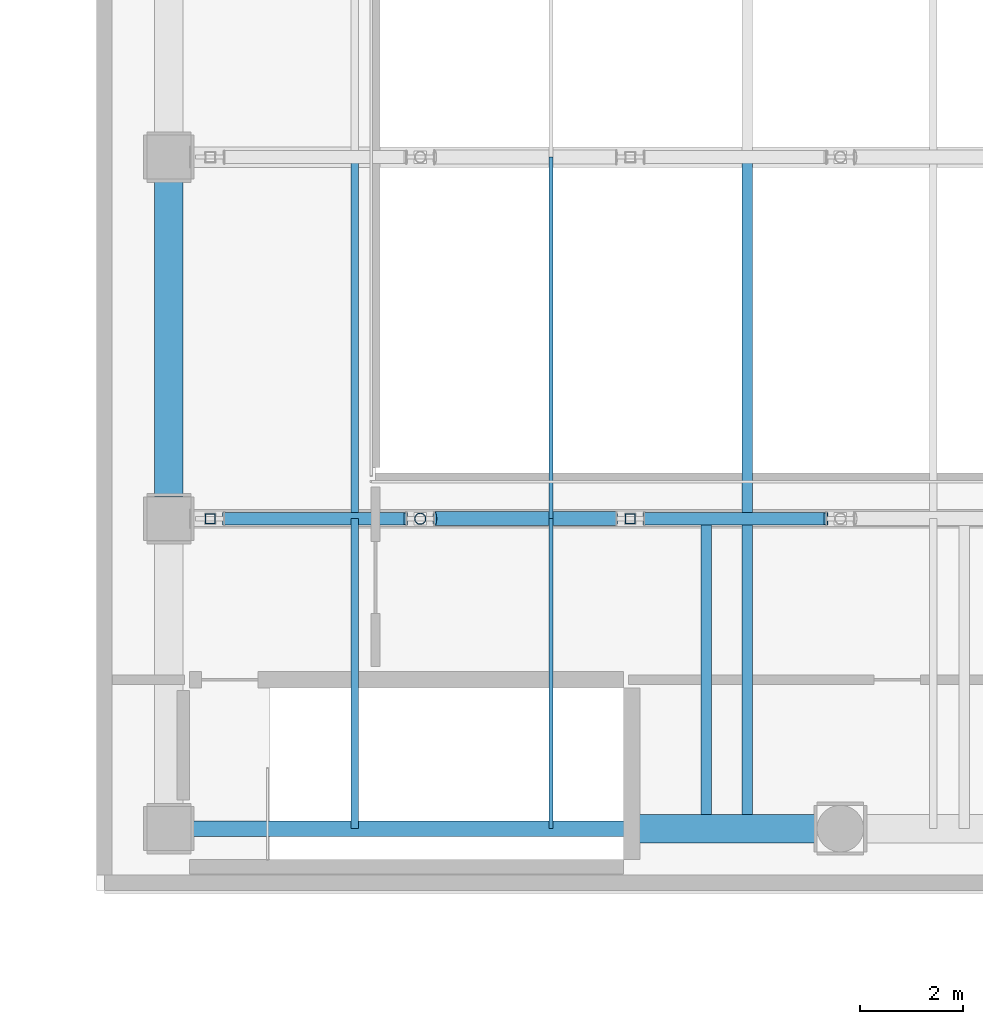
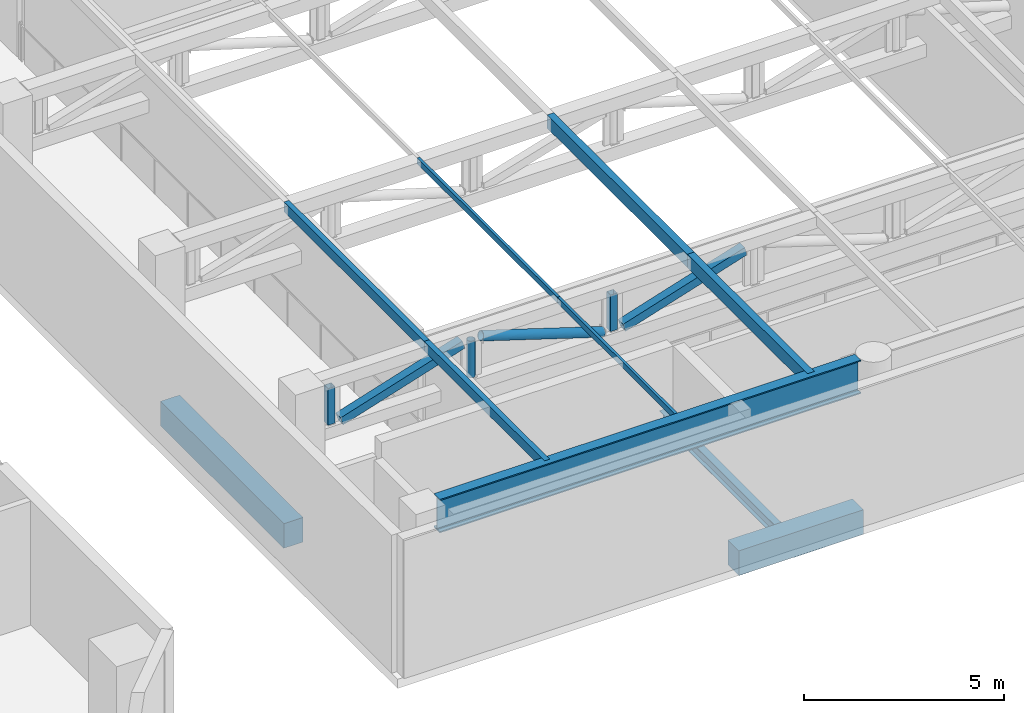
# One storey, part 3 of 25: 12 members, 4 beams.
"""IFC4 building model written with IfcOpenShell, lengths in metres."""

import ifcopenshell
import ifcopenshell.guid

model = None  # the IFC model being written
_history = None  # IfcOwnerHistory: only IFC2X3 demands one
_inside = {}  # id of a spatial element -> (the spatial element, [elements in it])
_under = {}  # id of a project, library or spatial element -> (it, [spatial elements below it])
_declared = {}  # id of a project -> (the project, [libraries it declares])
_typed = {}  # id of a type object -> (the type object, [elements of that type])
_made_of = {}  # id of a material, layer set ... -> (it, [elements and type objects made of it])


def new_model(schema):
    """Start an empty IFC model of exactly this schema.

    Asked for "IFC4X3", IfcOpenShell would pick the latest addendum, in which some entities
    have other attributes; the version numbers below select the first issue.
    IFC2X3 requires an IfcOwnerHistory on every rooted entity: one is made here for all.
    """
    global model, _history
    if schema == "IFC4X3":
        model = ifcopenshell.file(schema_version=(4, 3, 0, 0))
    else:
        model = ifcopenshell.file(schema=schema)
    _inside.clear()
    _under.clear()
    _declared.clear()
    _typed.clear()
    _made_of.clear()
    _history = None
    if model.schema == "IFC2X3":
        org = make("IfcOrganization", Name="unknown")
        user = make(
            "IfcPersonAndOrganization",
            ThePerson=make("IfcPerson", FamilyName="unknown"),
            TheOrganization=org,
        )
        app = make(
            "IfcApplication",
            ApplicationDeveloper=org,
            Version="unknown",
            ApplicationFullName="unknown",
            ApplicationIdentifier="unknown",
        )
        _history = make(
            "IfcOwnerHistory",
            OwningUser=user,
            OwningApplication=app,
            ChangeAction="ADDED",
            CreationDate=0,
        )
    return model


def make(cls, **values):
    """One entity of the class cls with the attributes given. An attribute that is None is left unset."""
    return model.create_entity(
        cls, **{name: value for name, value in values.items() if value is not None}
    )


def rooted(cls, **values):
    """An entity with a GlobalId (a new one), such as an element, a storey or a relation."""
    return make(cls, GlobalId=ifcopenshell.guid.new(), OwnerHistory=_history, **values)


def si_unit(unit_type, name, prefix=None):
    """IfcSIUnit, for example si_unit("LENGTHUNIT", "METRE", prefix="MILLI")."""
    return make("IfcSIUnit", UnitType=unit_type, Prefix=prefix, Name=name)


def assignment(units):
    """IfcUnitAssignment: the units of a project."""
    return None if units is None else make("IfcUnitAssignment", Units=units)


def point(xyz):
    """IfcCartesianPoint."""
    return None if xyz is None else make("IfcCartesianPoint", Coordinates=xyz)


def direction(xyz):
    """IfcDirection."""
    return None if xyz is None else make("IfcDirection", DirectionRatios=xyz)


def frame(location, z_axis=None, x_axis=None):
    """IfcAxis2Placement3D, a coordinate frame: its origin and axes. An axis left out is left unset."""
    return make(
        "IfcAxis2Placement3D",
        Location=point(location),
        Axis=direction(z_axis),
        RefDirection=direction(x_axis),
    )


def frame_2d(location, x_axis=None):
    """IfcAxis2Placement2D, a coordinate frame in the plane: its origin and x axis."""
    return make(
        "IfcAxis2Placement2D", Location=point(location), RefDirection=direction(x_axis)
    )


def origin():
    """The frame at (0, 0, 0) with its axes left unset."""
    return frame((0.0, 0.0, 0.0))


def origin_2d():
    """The frame at (0, 0) in the plane with its x axis left unset."""
    return frame_2d((0.0, 0.0))


def place(relative_to, where):
    """IfcLocalPlacement: puts the frame where relative to a parent placement (None: the world)."""
    return make(
        "IfcLocalPlacement", PlacementRelTo=relative_to, RelativePlacement=where
    )


def context(
    kind, dimensions, precision=None, world=None, true_north=None, identifier=None
):
    """IfcGeometricRepresentationContext, for example the 3D "Model" context."""
    return make(
        "IfcGeometricRepresentationContext",
        ContextIdentifier=identifier,
        ContextType=kind,
        CoordinateSpaceDimension=dimensions,
        Precision=precision,
        WorldCoordinateSystem=world,
        TrueNorth=true_north,
    )


def subcontext(parent, identifier, kind, view, scale=None):
    """IfcGeometricRepresentationSubContext, for example "Body" below "Model"."""
    return make(
        "IfcGeometricRepresentationSubContext",
        ContextIdentifier=identifier,
        ContextType=kind,
        ParentContext=parent,
        TargetScale=scale,
        TargetView=view,
    )


def project(units=None, contexts=None):
    """IfcProject with its units and contexts."""
    return rooted(
        "IfcProject",
        Name="project",
        RepresentationContexts=contexts,
        UnitsInContext=assignment(units),
    )


def spatial(cls, under=None, at=None, **own):
    """A site, building, storey or space (cls), placed at a placement, below another one or the project."""
    s = rooted(cls, ObjectPlacement=at, **own)
    if under is not None:
        _under.setdefault(under.id(), (under, []))[1].append(s)
    return s


def profile(cls, at=None, kind="AREA", **sizes):
    """A parametric profile (cls). Its sizes go by their IFC names, for example OverallWidth=200.0."""
    return make(cls, ProfileType=kind, Position=at, **sizes)


def rectangle(**sizes):
    """IfcRectangleProfileDef."""
    return profile("IfcRectangleProfileDef", **sizes)


def hollow_rectangle(**sizes):
    """IfcRectangleHollowProfileDef."""
    return profile("IfcRectangleHollowProfileDef", **sizes)


def hollow_circle(**sizes):
    """IfcCircleHollowProfileDef."""
    return profile("IfcCircleHollowProfileDef", **sizes)


def i_section(**sizes):
    """IfcIShapeProfileDef."""
    return profile("IfcIShapeProfileDef", **sizes)


def extrude(swept, where, along, depth):
    """IfcExtrudedAreaSolid: the profile swept, set in the frame where, extruded along a direction by depth."""
    return make(
        "IfcExtrudedAreaSolid",
        SweptArea=swept,
        Position=where,
        ExtrudedDirection=direction(along),
        Depth=depth,
    )


def shape(context_of_items, identifier, shape_type, items):
    """IfcShapeRepresentation: the items that make up one representation, for example the "Body"."""
    return make(
        "IfcShapeRepresentation",
        ContextOfItems=context_of_items,
        RepresentationIdentifier=identifier,
        RepresentationType=shape_type,
        Items=items,
    )


def material(Name=None, Category=None):
    """IfcMaterial."""
    return make("IfcMaterial", Name=Name, Category=Category)


def material_profile(
    of_material, cross_section, Name=None, Category=None, Priority=None
):
    """IfcMaterialProfile: a cross section and its material."""
    return make(
        "IfcMaterialProfile",
        Name=Name,
        Material=of_material,
        Profile=cross_section,
        Priority=Priority,
        Category=Category,
    )


def profile_set(profiles, Name=None, composite=None):
    """IfcMaterialProfileSet."""
    return make(
        "IfcMaterialProfileSet",
        Name=Name,
        MaterialProfiles=profiles,
        CompositeProfile=composite,
    )


def made_of(thing, what):
    """Note that an element or type object is made of a material, layer set ...; save() writes the relation."""
    if what is not None:
        _made_of.setdefault(what.id(), (what, []))[1].append(thing)
    return thing


def type_object(cls, material=None, **own):
    """A type object (cls), such as IfcWallType, which elements share."""
    return made_of(rooted(cls, **own), material)


def element(
    cls,
    number,
    at=None,
    inside=None,
    cuts=None,
    type_object=None,
    material=None,
    context=None,
    identifier="Body",
    shape_type=None,
    held_by="IfcProductDefinitionShape",
    body=None,
    shapes=None,
    **own,
):
    """One element of the class cls, such as IfcWall. Its Tag is "e" and its number.

    at: its placement. inside: the storey or other place that contains it. cuts: it is an
    opening in that element (IfcRelVoidsElement). A single representation is given by context,
    identifier, shape_type and body (its items); several are given by shapes. held_by: the class
    of the entity that holds the representations. save() writes the other relations.
    """
    e = rooted(cls, Tag="e%d" % number, ObjectPlacement=at, **own)
    if body is not None:
        shapes = [shape(context, identifier, shape_type, body)]
    if shapes is not None:
        e.Representation = make(held_by, Representations=shapes)
    if inside is not None:
        _inside.setdefault(inside.id(), (inside, []))[1].append(e)
    if cuts is not None:
        rooted(
            "IfcRelVoidsElement", RelatingBuildingElement=cuts, RelatedOpeningElement=e
        )
    if type_object is not None:
        _typed.setdefault(type_object.id(), (type_object, []))[1].append(e)
    return made_of(e, material)


def aggregate(whole, parts):
    """IfcRelAggregates: a whole, such as a stair, and the parts it consists of."""
    return rooted("IfcRelAggregates", RelatingObject=whole, RelatedObjects=parts)


def save(model, path):
    """Write the relations noted so far, then the file.

    IfcRelAggregates (storeys below a building ...), IfcRelContainedInSpatialStructure (elements
    in a storey), IfcRelDefinesByType, IfcRelAssociatesMaterial and IfcRelDeclares: one each for
    every whole, place, type object, material and project.
    """
    for whole, parts in _under.values():
        aggregate(whole, parts)
    for where, things in _inside.values():
        rooted(
            "IfcRelContainedInSpatialStructure",
            RelatedElements=things,
            RelatingStructure=where,
        )
    for kind, things in _typed.values():
        rooted("IfcRelDefinesByType", RelatedObjects=things, RelatingType=kind)
    for what, things in _made_of.values():
        rooted("IfcRelAssociatesMaterial", RelatedObjects=things, RelatingMaterial=what)
    for by, libraries in _declared.values():
        rooted("IfcRelDeclares", RelatingContext=by, RelatedDefinitions=libraries)
    model.write(path)


model = new_model("IFC4")

# Units and contexts
model_context = context("Model", 3, precision=1e-05, world=origin(), true_north=direction((0.0, 1.0)))
body_context = subcontext(model_context, "Body", "Model", "MODEL_VIEW")
ifc_project = project(units=[si_unit("LENGTHUNIT", "METRE"), si_unit("AREAUNIT", "SQUARE_METRE"), si_unit("VOLUMEUNIT", "CUBIC_METRE"), si_unit("PLANEANGLEUNIT", "RADIAN"), si_unit("MASSUNIT", "GRAM", prefix="KILO")], contexts=[model_context])

# Site, building, storey
site_placement = place(None, origin())
site = spatial("IfcSite", under=ifc_project, at=site_placement, CompositionType="ELEMENT")
building_placement = place(site_placement, origin())
building = spatial("IfcBuilding", under=site, at=building_placement, Name="Solanera Arch Residences", CompositionType="ELEMENT")
storey_placement = place(building_placement, frame((0.0, 0.0, 17.800048828125)))
storey = spatial("IfcBuildingStorey", under=building, at=storey_placement, Name="L04", CompositionType="ELEMENT", Elevation=17.800048828125)

# Beams
ifc_material_1 = material(Name="Concrete C40/50 (f'c = 45 MPa)", Category="concrete")
ifc_material_profile_1 = material_profile(ifc_material_1, rectangle(XDim=0.550048828125, YDim=0.75, at=origin_2d()))
ifc_profile_set_1 = profile_set([ifc_material_profile_1], Name="Concrete C40/50 (f'c = 45 MPa)")
beam_type_1 = type_object("IfcBeamType", Name="Primary Beam RC-BM-550X750", PredefinedType="BEAM", material=ifc_profile_set_1)
beam_1_placement = place(storey_placement, frame((55.800048828125, 20.22509765625, -0.655029296875), z_axis=(0.0, 1.0, 0.0), x_axis=(-1.0, 0.0, 0.0)))
element("IfcBeam", 1, at=beam_1_placement, inside=storey, type_object=beam_type_1, Name="BM-L04-HW-2", PredefinedType="BEAM", context=body_context, shape_type="SweptSolid", body=[
    extrude(rectangle(XDim=0.550048828125, YDim=0.75, at=origin_2d()), origin(), (0.0, 0.0, 1.0), 6.14990234375),
])
beam_2_placement = place(storey_placement, frame((64.760009765625, 13.800048828125, -0.655029296875), z_axis=(1.0, 0.0, 0.0), x_axis=(0.0, 1.0, 0.0)))
element("IfcBeam", 2, at=beam_2_placement, inside=storey, type_object=beam_type_1, Name="BM-L04-HS-1", PredefinedType="BEAM", context=body_context, shape_type="SweptSolid", body=[
    extrude(rectangle(XDim=0.550048828125, YDim=0.75, at=origin_2d()), origin(), (0.0, 0.0, 1.0), 3.590087890625),
])

# Members
ifc_material_2 = material(Name="Steel S355 (ASTM A992 / A572 Grade 50)", Category="steel")
ifc_material_profile_2 = material_profile(ifc_material_2, hollow_rectangle(XDim=0.080078125, YDim=0.179931640625, WallThickness=0.006103515625, at=origin_2d()))
ifc_profile_set_2 = profile_set([ifc_material_profile_2], Name="Steel S355 (ASTM A992 / A572 Grade 50)")
member_type_1 = type_object("IfcMemberType", Name="Roof Purlin HSS180X80X6", PredefinedType="PURLIN", material=ifc_profile_set_2)
member_1_placement = place(storey_placement, frame((63.199951171875, 13.800048828125, 4.10986328125), z_axis=(0.0, 1.0, 0.0), x_axis=(-1.0, 0.0, 0.0)))
element("IfcMember", 3, at=member_1_placement, inside=storey, type_object=member_type_1, Name="Sports Hall Roof Purlin 2.1", PredefinedType="PURLIN", context=body_context, shape_type="SweptSolid", body=[
    extrude(hollow_rectangle(XDim=0.080078125, YDim=0.179931640625, WallThickness=0.006103515625, at=origin_2d()), origin(), (0.0, 0.0, 1.0), 6.0),
])
member_2_placement = place(storey_placement, frame((63.199951171875, 19.800048828125, 4.10986328125), z_axis=(0.0, 1.0, 0.0), x_axis=(-1.0, 0.0, 0.0)))
element("IfcMember", 4, at=member_2_placement, inside=storey, type_object=member_type_1, Name="Sports Hall Roof Purlin 2.2", PredefinedType="PURLIN", context=body_context, shape_type="SweptSolid", body=[
    extrude(hollow_rectangle(XDim=0.080078125, YDim=0.179931640625, WallThickness=0.006103515625, at=origin_2d()), origin(), (0.0, 0.0, 1.0), 7.0),
])
ifc_material_3 = material(Name="Steel S355 (ASTM A992 / A572 Grade 50)", Category="steel")
ifc_material_profile_3 = material_profile(ifc_material_3, hollow_rectangle(XDim=0.14990234375, YDim=0.300048828125, WallThickness=0.010009765625, at=origin_2d()))
ifc_profile_set_3 = profile_set([ifc_material_profile_3], Name="Steel S355 (ASTM A992 / A572 Grade 50)")
member_type_2 = type_object("IfcMemberType", Name="Roof Purlin HSS300X150X10", PredefinedType="PURLIN", material=ifc_profile_set_3)
member_3_placement = place(storey_placement, frame((59.39990234375, 13.800048828125, 4.050048828125), z_axis=(0.0, 1.0, 0.0), x_axis=(-1.0, 0.0, 0.0)))
element("IfcMember", 5, at=member_3_placement, inside=storey, type_object=member_type_2, Name="Sports Hall Roof Purlin 1.1", PredefinedType="PURLIN", context=body_context, shape_type="SweptSolid", body=[
    extrude(hollow_rectangle(XDim=0.14990234375, YDim=0.300048828125, WallThickness=0.010009765625, at=origin_2d()), origin(), (0.0, 0.0, 1.0), 6.0),
])
member_4_placement = place(storey_placement, frame((59.39990234375, 19.800048828125, 4.050048828125), z_axis=(0.0, 1.0, 0.0), x_axis=(-1.0, 0.0, 0.0)))
element("IfcMember", 6, at=member_4_placement, inside=storey, type_object=member_type_2, Name="Sports Hall Roof Purlin 1.2", PredefinedType="PURLIN", context=body_context, shape_type="SweptSolid", body=[
    extrude(hollow_rectangle(XDim=0.14990234375, YDim=0.300048828125, WallThickness=0.010009765625, at=origin_2d()), origin(), (0.0, 0.0, 1.0), 7.0),
])
ifc_material_4 = material(Name="Steel S355 (ASTM A992 / A572 Grade 50)", Category="steel")
ifc_material_profile_4 = material_profile(ifc_material_4, hollow_rectangle(XDim=0.199951171875, YDim=0.39990234375, WallThickness=0.012451171875, at=origin_2d()))
ifc_profile_set_4 = profile_set([ifc_material_profile_4], Name="Steel S355 (ASTM A992 / A572 Grade 50)")
member_type_3 = type_object("IfcMemberType", Name="Roof Purlin HSS400X200X12.5", PredefinedType="PURLIN", material=ifc_profile_set_4)
member_5_placement = place(storey_placement, frame((67.0, 13.800048828125, 4.0), z_axis=(0.0, 1.0, 0.0), x_axis=(-1.0, 0.0, 0.0)))
element("IfcMember", 7, at=member_5_placement, inside=storey, type_object=member_type_3, Name="Sports Hall Roof Purlin 3.1", PredefinedType="PURLIN", context=body_context, shape_type="SweptSolid", body=[
    extrude(hollow_rectangle(XDim=0.199951171875, YDim=0.39990234375, WallThickness=0.012451171875, at=origin_2d()), origin(), (0.0, 0.0, 1.0), 6.0),
])
member_6_placement = place(storey_placement, frame((67.0, 19.800048828125, 4.0), z_axis=(0.0, 1.0, 0.0), x_axis=(-1.0, 0.0, 0.0)))
element("IfcMember", 8, at=member_6_placement, inside=storey, type_object=member_type_3, Name="Sports Hall Roof Purlin 3.2", PredefinedType="PURLIN", context=body_context, shape_type="SweptSolid", body=[
    extrude(hollow_rectangle(XDim=0.199951171875, YDim=0.39990234375, WallThickness=0.012451171875, at=origin_2d()), origin(), (0.0, 0.0, 1.0), 7.0),
])

# Beam
ifc_material_5 = material(Name="Steel S355 (ASTM A992 / A572 Grade 50)", Category="steel")
ifc_material_profile_5 = material_profile(ifc_material_5, i_section(OverallWidth=0.205078125, OverallDepth=0.35400390625, WebThickness=0.009521484375, FlangeThickness=0.016845703125, at=origin_2d()))
ifc_profile_set_5 = profile_set([ifc_material_profile_5], Name="Steel S355 (ASTM A992 / A572 Grade 50)")
beam_type_2 = type_object("IfcBeamType", Name="Secondary Joist W360X79", PredefinedType="JOIST", material=ifc_profile_set_5)
beam_3_placement = place(storey_placement, frame((66.199951171875, 13.800048828125, -0.45703125), z_axis=(0.0, 1.0, 0.0), x_axis=(-1.0, 0.0, 0.0)))
element("IfcBeam", 9, at=beam_3_placement, inside=storey, type_object=beam_type_2, Name="BM-L04-HJS-66", PredefinedType="JOIST", context=body_context, shape_type="SweptSolid", body=[
    extrude(i_section(OverallWidth=0.205078125, OverallDepth=0.35400390625, WebThickness=0.009521484375, FlangeThickness=0.016845703125, at=origin_2d()), origin(), (0.0, 0.0, 1.0), 6.0),
])

# Member
ifc_material_6 = material(Name="Steel S355 (ASTM A992 / A572 Grade 50)", Category="steel")
ifc_material_profile_6 = material_profile(ifc_material_6, hollow_circle(Radius=0.109619140625, WallThickness=0.008056640625, at=origin_2d()))
ifc_profile_set_6 = profile_set([ifc_material_profile_6], Name="Steel S355 (ASTM A992 / A572 Grade 50)")
member_type_4 = type_object("IfcMemberType", Name="Strut CHS219.1X8", PredefinedType="STRUT", material=ifc_profile_set_6)
member_7_placement = place(storey_placement, frame((60.6669921875, 19.800048828125, 2.695068359375), z_axis=(0.0, 0.0, 1.0), x_axis=(1.0, 0.0, 0.0)))
element("IfcMember", 10, at=member_7_placement, inside=storey, type_object=member_type_4, Name="Sports Hall Roof Truss 1 Vertical Post 1", PredefinedType="STRUT", context=body_context, shape_type="SweptSolid", body=[
    extrude(hollow_circle(Radius=0.109619140625, WallThickness=0.008056640625, at=origin_2d()), origin(), (0.0, 0.0, 1.0), 1.10986328125),
])

# Beam
ifc_material_7 = material(Name="Steel S355 (ASTM A992 / A572 Grade 50)", Category="steel")
ifc_material_profile_7 = material_profile(ifc_material_7, i_section(OverallWidth=0.300048828125, OverallDepth=1.02001953125, WebThickness=0.0205078125, FlangeThickness=0.0361328125, at=origin_2d()))
ifc_profile_set_7 = profile_set([ifc_material_profile_7], Name="Steel S355 (ASTM A992 / A572 Grade 50)")
beam_type_3 = type_object("IfcBeamType", Name="Transfer Girder W1000X371", PredefinedType="BEAM", material=ifc_profile_set_7)
beam_4_placement = place(storey_placement, frame((56.22509765625, 13.800048828125, 3.68994140625), z_axis=(1.0, 0.0, 0.0), x_axis=(0.0, 1.0, 0.0)))
element("IfcBeam", 11, at=beam_4_placement, inside=storey, type_object=beam_type_3, Name="BM-L04-HRF-S1", PredefinedType="BEAM", context=body_context, shape_type="SweptSolid", body=[
    extrude(i_section(OverallWidth=0.300048828125, OverallDepth=1.02001953125, WebThickness=0.0205078125, FlangeThickness=0.0361328125, at=origin_2d()), origin(), (0.0, 0.0, 1.0), 12.125),
])

# Members
ifc_material_8 = material(Name="Steel S355 (ASTM A992 / A572 Grade 50)", Category="steel")
ifc_material_profile_8 = material_profile(ifc_material_8, hollow_circle(Radius=0.136474609375, WallThickness=0.010009765625, at=origin_2d()))
ifc_profile_set_8 = profile_set([ifc_material_profile_8], Name="Steel S355 (ASTM A992 / A572 Grade 50)")
member_type_5 = type_object("IfcMemberType", Name="Truss Diagonal CHS273X10", PredefinedType="BRACE", material=ifc_profile_set_8)
member_8_placement = place(storey_placement, frame((60.947021484375, 19.800048828125, 3.804931640625), z_axis=(0.953367698748, 0.0, -0.301811250592), x_axis=(0.0, 1.0, 0.0)))
element("IfcMember", 12, at=member_8_placement, inside=storey, type_object=member_type_5, Name="Sports Hall Roof Truss 1 Web Diagonal 2", PredefinedType="BRACE", context=body_context, shape_type="SweptSolid", body=[
    extrude(hollow_circle(Radius=0.136474609375, WallThickness=0.010009765625, at=origin_2d()), origin(), (0.0, 0.0, 1.0), 3.67724609375),
])
ifc_material_9 = material(Name="Steel S355 (ASTM A992 / A572 Grade 50)", Category="steel")
ifc_material_profile_9 = material_profile(ifc_material_9, hollow_rectangle(XDim=0.25, YDim=0.25, WallThickness=0.010009765625, at=origin_2d()))
ifc_profile_set_9 = profile_set([ifc_material_profile_9], Name="Steel S355 (ASTM A992 / A572 Grade 50)")
member_type_6 = type_object("IfcMemberType", Name="Truss Diagonal HSS250X250X10", PredefinedType="BRACE", material=ifc_profile_set_9)
for number, where, z_axis, x_axis, name in (
    (13, (56.8798828125, 19.800048828125, 2.695068359375), (0.953397921967, 0.0, 0.301715764237), (0.0, 1.0, 0.0), "Sports Hall Roof Truss 1 Web Diagonal 1"),
    (14, (65.012939453125, 19.800048828125, 2.695068359375), (0.953397921967, 0.0, 0.301715764237), (0.0, 1.0, 0.0), "Sports Hall Roof Truss 1 Web Diagonal 3"),
):
    element("IfcMember", number, at=place(storey_placement, frame(where, z_axis=z_axis, x_axis=x_axis)), inside=storey, type_object=member_type_6, Name=name, PredefinedType="BRACE", context=body_context, shape_type="SweptSolid", body=[
        extrude(hollow_rectangle(XDim=0.25, YDim=0.25, WallThickness=0.010009765625, at=origin_2d()), origin(), (0.0, 0.0, 1.0), 3.678466796875),
    ])
ifc_material_10 = material(Name="Steel S355 (ASTM A992 / A572 Grade 50)", Category="steel")
ifc_material_profile_10 = material_profile(ifc_material_10, hollow_rectangle(XDim=0.199951171875, YDim=0.199951171875, WallThickness=0.010009765625, at=origin_2d()))
ifc_profile_set_10 = profile_set([ifc_material_profile_10], Name="Steel S355 (ASTM A992 / A572 Grade 50)")
member_type_7 = type_object("IfcMemberType", Name="Truss Post HSS200X200X10", PredefinedType="STRUT", material=ifc_profile_set_10)
for number, where, z_axis, x_axis, name in (
    (15, (56.60009765625, 19.800048828125, 2.695068359375), (0.0, 0.0, 1.0), (1.0, 0.0, 0.0), "Sports Hall Roof Truss 1 Vertical Post 0"),
    (16, (64.73291015625, 19.800048828125, 2.695068359375), (0.0, 0.0, 1.0), (1.0, 0.0, 0.0), "Sports Hall Roof Truss 1 Vertical Post 2"),
):
    element("IfcMember", number, at=place(storey_placement, frame(where, z_axis=z_axis, x_axis=x_axis)), inside=storey, type_object=member_type_7, Name=name, PredefinedType="STRUT", context=body_context, shape_type="SweptSolid", body=[
        extrude(hollow_rectangle(XDim=0.199951171875, YDim=0.199951171875, WallThickness=0.010009765625, at=origin_2d()), origin(), (0.0, 0.0, 1.0), 1.10986328125),
    ])

save(model, "model.ifc")
